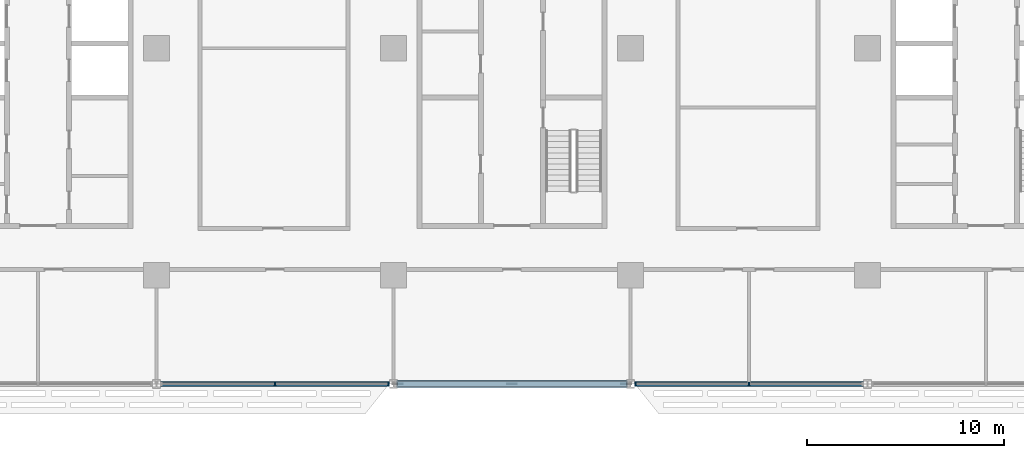
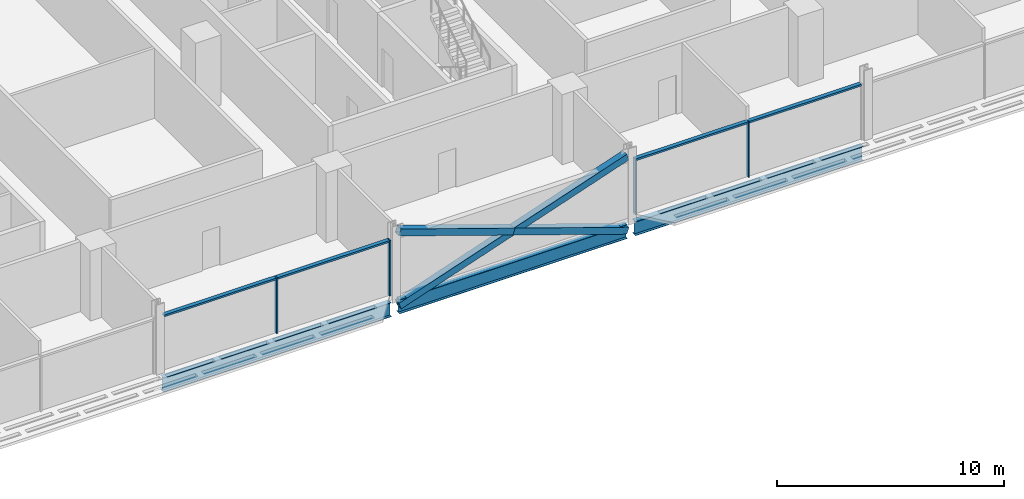
# One storey, part 5 of 29: 11 members, 3 beams, 2 elements without a shape of their own.
"""IFC4 building model written with IfcOpenShell, lengths in metres."""

from ifc_helpers import new_model, si_unit, direction, frame, origin, origin_2d, place, context, subcontext, project, spatial, rectangle, hollow_rectangle, i_section, extrude, material, material_profile, profile_set, type_object, element, aggregate, save


model = new_model("IFC4")

# Units and contexts
model_context = context("Model", 3, precision=1e-05, world=origin(), true_north=direction((0.0, 1.0)))
body_context = subcontext(model_context, "Body", "Model", "MODEL_VIEW")
ifc_project = project(units=[si_unit("LENGTHUNIT", "METRE"), si_unit("AREAUNIT", "SQUARE_METRE"), si_unit("VOLUMEUNIT", "CUBIC_METRE"), si_unit("PLANEANGLEUNIT", "RADIAN"), si_unit("MASSUNIT", "GRAM", prefix="KILO")], contexts=[model_context])

# Site, building, storey
site_placement = place(None, origin())
site = spatial("IfcSite", under=ifc_project, at=site_placement, CompositionType="ELEMENT")
building_placement = place(site_placement, origin())
building = spatial("IfcBuilding", under=site, at=building_placement, Name="Mahtab Terrace Research Tower", CompositionType="ELEMENT")
storey_placement = place(building_placement, frame((0.0, 0.0, 126.10009765625)))
storey = spatial("IfcBuildingStorey", under=building, at=storey_placement, Name="L29", CompositionType="ELEMENT", Elevation=126.10009765625)

# Members
ifc_material_1 = material(Name="Steel ASTM A500 Gr C", Category="steel")
ifc_material_profile_1 = material_profile(ifc_material_1, hollow_rectangle(XDim=0.355712890625, YDim=0.355712890625, WallThickness=0.01904296875, at=origin_2d()), Name="HSS14X14X3/4")
ifc_profile_set_1 = profile_set([ifc_material_profile_1], Name="Steel ASTM A500 Gr C")
member_type_1 = type_object("IfcMemberType", Name="HSS 14x14x3/4 brace XB141434", PredefinedType="BRACE", material=ifc_profile_set_1)
member_1_placement = place(storey_placement, frame((-5.794189453125, -17.0, -0.648193359375), z_axis=(0.946294377485, 0.0, 0.323306280699), x_axis=(0.0, 1.0, 0.0)))
element("IfcMember", 1, at=member_1_placement, inside=storey, type_object=member_type_1, Name="Exoskeleton brace L29 17 a", PredefinedType="BRACE", context=body_context, shape_type="SweptSolid", body=[
    extrude(hollow_rectangle(XDim=0.355712890625, YDim=0.355712890625, WallThickness=0.01904296875, at=origin_2d()), origin(), (0.0, 0.0, 1.0), 12.24609375),
])
for number, where, z_axis, x_axis, name in (
    (2, (5.794189453125, -17.0, -0.648193359375), (-0.946288278, 0.0, 0.323324132908), (0.0, -1.0, 0.0), "Exoskeleton brace L29 17 b1"),
    (3, (0.0, -17.0, 1.33154296875), (-0.946300476713, 0.0, 0.323288428146), (0.0, -1.0, 0.0), "Exoskeleton brace L29 17 b2"),
):
    element("IfcMember", number, at=place(storey_placement, frame(where, z_axis=z_axis, x_axis=x_axis)), inside=storey, type_object=member_type_1, Name=name, PredefinedType="BRACE", context=body_context, shape_type="SweptSolid", body=[
        extrude(hollow_rectangle(XDim=0.355712890625, YDim=0.355712890625, WallThickness=0.01904296875, at=origin_2d()), origin(), (0.0, 0.0, 1.0), 6.123046875),
    ])

# Curtain wall, members
ifc_material_2 = material(Name="Laboratory ribbon curtain wall")
curtain_wall_type = type_object("IfcCurtainWallType", Name="Laboratory ribbon curtain wall", PredefinedType="NOTDEFINED", material=ifc_material_2)
curtain_wall_1_placement = place(storey_placement, origin())
curtain_wall_1 = element("IfcCurtainWall", 4, at=curtain_wall_1_placement, inside=storey, type_object=curtain_wall_type, Name="EN.L29.13.26", PredefinedType="NOTDEFINED")
ifc_material_3 = material(Name="Natural anodised aluminium", Category="aluminium")
ifc_material_profile_2 = material_profile(ifc_material_3, rectangle(XDim=0.199951171875, YDim=0.06494140625, at=origin_2d()), Name="MULLION 65x200")
ifc_profile_set_2 = profile_set([ifc_material_profile_2], Name="Natural anodised aluminium")
member_type_2 = type_object("IfcMemberType", Name="Laboratory ribbon curtain wall mullion", PredefinedType="MULLION", material=ifc_profile_set_2)
member_2_placement = place(storey_placement, frame((-12.0, -17.0, 0.0), z_axis=(0.0, 0.0, 1.0), x_axis=(0.0, 1.0, 0.0)))
member_2 = element("IfcMember", 5, at=member_2_placement, type_object=member_type_2, Name="CWL-4 mullion 2", PredefinedType="MULLION", context=body_context, shape_type="SweptSolid", body=[
    extrude(rectangle(XDim=0.199951171875, YDim=0.06494140625, at=origin_2d()), origin(), (0.0, 0.0, 1.0), 3.0029296875),
])
member_3_placement = place(storey_placement, frame((-6.25048828125, -17.0, 0.0), z_axis=(0.0, 0.0, 1.0), x_axis=(0.0, 1.0, 0.0)))
member_3 = element("IfcMember", 6, at=member_3_placement, type_object=member_type_2, Name="CWL-4 mullion 3", PredefinedType="MULLION", context=body_context, shape_type="SweptSolid", body=[
    extrude(rectangle(XDim=0.199951171875, YDim=0.06494140625, at=origin_2d()), origin(), (0.0, 0.0, 1.0), 3.0029296875),
])

curtain_wall_2_placement = place(storey_placement, origin())
curtain_wall_2 = element("IfcCurtainWall", 7, at=curtain_wall_2_placement, inside=storey, type_object=curtain_wall_type, Name="EN.L29.13.28", PredefinedType="NOTDEFINED")
member_4_placement = place(storey_placement, frame((6.25048828125, -17.0, 0.0), z_axis=(0.0, 0.0, 1.0), x_axis=(0.0, 1.0, 0.0)))
member_4 = element("IfcMember", 8, at=member_4_placement, type_object=member_type_2, Name="CWL-4 mullion 1", PredefinedType="MULLION", context=body_context, shape_type="SweptSolid", body=[
    extrude(rectangle(XDim=0.199951171875, YDim=0.06494140625, at=origin_2d()), origin(), (0.0, 0.0, 1.0), 3.0029296875),
])
member_5_placement = place(storey_placement, frame((12.0, -17.0, 0.0), z_axis=(0.0, 0.0, 1.0), x_axis=(0.0, 1.0, 0.0)))
member_5 = element("IfcMember", 9, at=member_5_placement, type_object=member_type_2, Name="CWL-4 mullion 2", PredefinedType="MULLION", context=body_context, shape_type="SweptSolid", body=[
    extrude(rectangle(XDim=0.199951171875, YDim=0.06494140625, at=origin_2d()), origin(), (0.0, 0.0, 1.0), 3.0029296875),
])

# Member
ifc_material_profile_3 = material_profile(ifc_material_3, rectangle(XDim=0.199951171875, YDim=0.10009765625, at=origin_2d()), Name="TRANSOM 100x200")
ifc_profile_set_3 = profile_set([ifc_material_profile_3], Name="Natural anodised aluminium")
member_type_3 = type_object("IfcMemberType", Name="Laboratory ribbon curtain wall transom", PredefinedType="USERDEFINED", material=ifc_profile_set_3)
member_6_placement = place(storey_placement, frame((-17.717041015625, -17.0, 2.952880859375), z_axis=(1.0, 0.0, 0.0), x_axis=(0.0, 1.0, 0.0)))
member_6 = element("IfcMember", 10, at=member_6_placement, type_object=member_type_3, Name="CWL-4 transom 1", ObjectType="TRANSOM", PredefinedType="USERDEFINED", context=body_context, shape_type="SweptSolid", body=[
    extrude(rectangle(XDim=0.199951171875, YDim=0.10009765625, at=origin_2d()), origin(), (0.0, 0.0, 1.0), 5.6845703125),
])

member_7_placement = place(storey_placement, frame((-11.967529296875, -17.0, 2.952880859375), z_axis=(1.0, 0.0, 0.0), x_axis=(0.0, 1.0, 0.0)))
member_7 = element("IfcMember", 11, at=member_7_placement, type_object=member_type_3, Name="CWL-4 transom 2", ObjectType="TRANSOM", PredefinedType="USERDEFINED", context=body_context, shape_type="SweptSolid", body=[
    extrude(rectangle(XDim=0.199951171875, YDim=0.10009765625, at=origin_2d()), origin(), (0.0, 0.0, 1.0), 5.6845703125),
])

aggregate(curtain_wall_1, [member_2, member_3, member_6, member_7])

member_8_placement = place(storey_placement, frame((6.282958984375, -17.0, 2.952880859375), z_axis=(1.0, 0.0, 0.0), x_axis=(0.0, 1.0, 0.0)))
member_8 = element("IfcMember", 12, at=member_8_placement, type_object=member_type_3, Name="CWL-4 transom 1", ObjectType="TRANSOM", PredefinedType="USERDEFINED", context=body_context, shape_type="SweptSolid", body=[
    extrude(rectangle(XDim=0.199951171875, YDim=0.10009765625, at=origin_2d()), origin(), (0.0, 0.0, 1.0), 5.6845703125),
])

member_9_placement = place(storey_placement, frame((12.032470703125, -17.0, 2.952880859375), z_axis=(1.0, 0.0, 0.0), x_axis=(0.0, 1.0, 0.0)))
member_9 = element("IfcMember", 13, at=member_9_placement, type_object=member_type_3, Name="CWL-4 transom 2", ObjectType="TRANSOM", PredefinedType="USERDEFINED", context=body_context, shape_type="SweptSolid", body=[
    extrude(rectangle(XDim=0.199951171875, YDim=0.10009765625, at=origin_2d()), origin(), (0.0, 0.0, 1.0), 5.6845703125),
])

aggregate(curtain_wall_2, [member_4, member_5, member_8, member_9])

# Beams
ifc_material_4 = material(Name="Steel ASTM A992 Gr 50", Category="steel")
ifc_material_profile_4 = material_profile(ifc_material_4, i_section(OverallWidth=0.2666015625, OverallDepth=0.7568359375, WebThickness=0.013916015625, FlangeThickness=0.019287109375, at=origin_2d()), Name="W30X108")
ifc_profile_set_4 = profile_set([ifc_material_profile_4], Name="Steel ASTM A992 Gr 50")
beam_type = type_object("IfcBeamType", Name="W30x108 beam BS30108", PredefinedType="BEAM", material=ifc_profile_set_4)
for number, where, z_axis, x_axis, name in (
    (14, (-17.794189453125, -17.0, -0.718505859375), (1.0, 0.0, 0.0), (0.0, 1.0, 0.0), "Spandrel beam L29 16"),
    (15, (-5.794189453125, -17.0, -0.718505859375), (1.0, 0.0, 0.0), (0.0, 1.0, 0.0), "Spandrel beam L29 17"),
    (16, (6.205810546875, -17.0, -0.718505859375), (1.0, 0.0, 0.0), (0.0, 1.0, 0.0), "Spandrel beam L29 18"),
):
    element("IfcBeam", number, at=place(storey_placement, frame(where, z_axis=z_axis, x_axis=x_axis)), inside=storey, type_object=beam_type, Name=name, PredefinedType="BEAM", context=body_context, shape_type="SweptSolid", body=[
        extrude(i_section(OverallWidth=0.2666015625, OverallDepth=0.7568359375, WebThickness=0.013916015625, FlangeThickness=0.019287109375, at=origin_2d()), origin(), (0.0, 0.0, 1.0), 11.58837890625),
    ])

save(model, "model.ifc")
